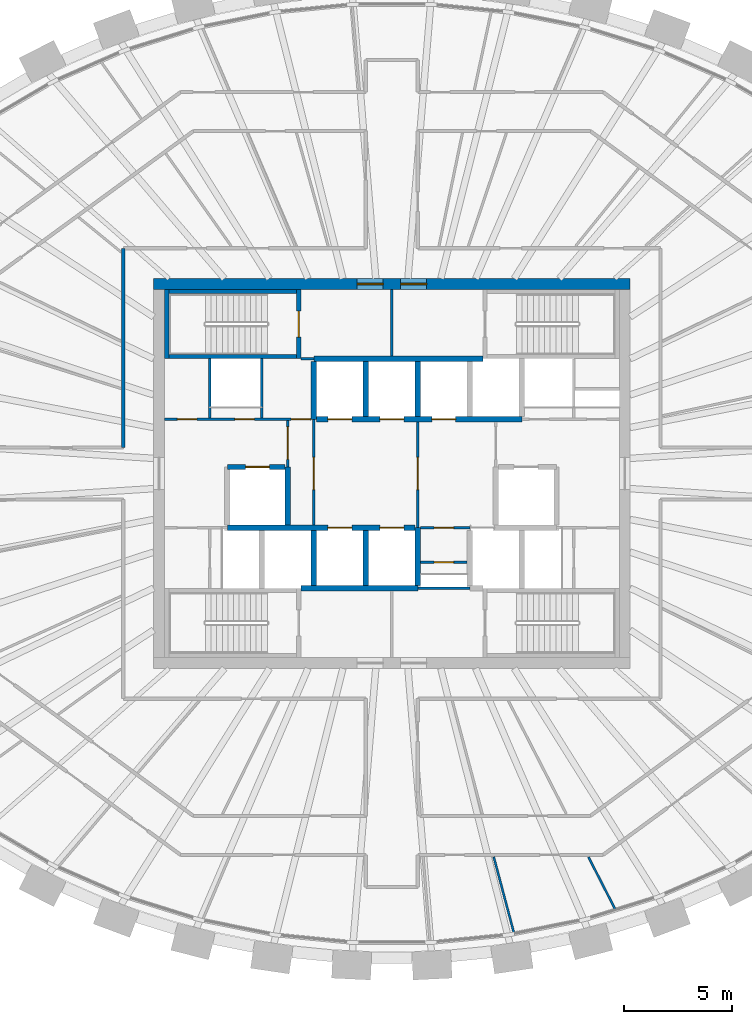
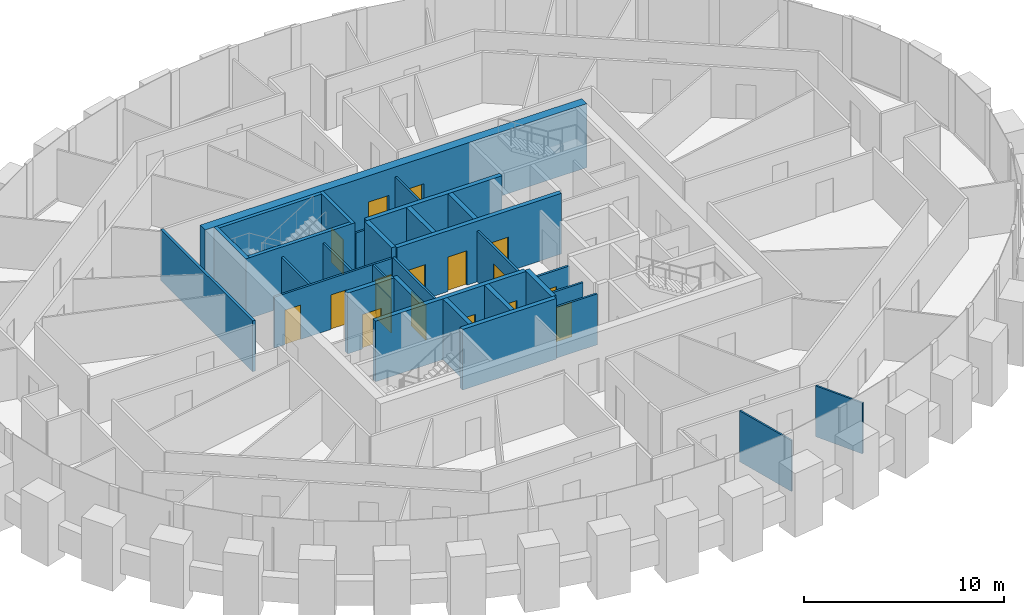
# One storey, part 7 of 11: 31 walls, 17 doors, 17 openings.
"""IFC4 building model written with IfcOpenShell, lengths in metres."""

from ifc_helpers import new_model, si_unit, direction, frame, frame_2d, origin, place, context, subcontext, project, spatial, rectangle, extrude, source, transform, mapped, material, layer, layer_set, type_object, element, fill, save


model = new_model("IFC4")

# Units and contexts
model_context = context("Model", 3, precision=1e-05, world=origin(), true_north=direction((0.0, 1.0)))
body_context = subcontext(model_context, "Body", "Model", "MODEL_VIEW")
ifc_project = project(units=[si_unit("LENGTHUNIT", "METRE"), si_unit("AREAUNIT", "SQUARE_METRE"), si_unit("VOLUMEUNIT", "CUBIC_METRE"), si_unit("PLANEANGLEUNIT", "RADIAN"), si_unit("MASSUNIT", "GRAM", prefix="KILO")], contexts=[model_context])

# Site, building, storey
site_placement = place(None, origin())
site = spatial("IfcSite", under=ifc_project, at=site_placement, CompositionType="ELEMENT")
building_placement = place(site_placement, origin())
building = spatial("IfcBuilding", under=site, at=building_placement, Name="Embergate Tower", CompositionType="ELEMENT")
storey_placement = place(building_placement, frame((0.0, 0.0, 324.699951171875)))
storey = spatial("IfcBuildingStorey", under=building, at=storey_placement, Name="L76", CompositionType="ELEMENT", Elevation=324.699951171875)

# Wall, openings, doors
ifc_material_1 = material(Name="Concrete C50", Category="concrete")
ifc_layer_1 = layer(ifc_material_1, 0.5)
ifc_layer_set_1 = layer_set([ifc_layer_1], Name="Concrete C50")
wall_type_1 = type_object("IfcWallType", Name="Core outer wall C50 500", PredefinedType="SHEAR", material=ifc_layer_set_1)
shared_shape_1 = source(origin(), body_context, "Body", "SweptSolid", [
    extrude(rectangle(XDim=22.0, YDim=0.5, at=frame_2d((11.0, 0.0))), origin(), (0.0, 0.0, 1.0), 3.89990234375),
])
wall_1_placement = place(storey_placement, frame((-11.0, 8.75, -0.199951171875), z_axis=(0.0, 0.0, 1.0), x_axis=(1.0, 0.0, 0.0)))
wall_1 = element("IfcWall", 1, at=wall_1_placement, inside=storey, type_object=wall_type_1, Name="CW-L76-N", PredefinedType="SHEAR", context=body_context, shape_type="MappedRepresentation", body=[
    mapped(shared_shape_1, transform((0.0, 0.0, 0.0))),
])
shared_shape_2 = source(origin(), body_context, "Body", "SweptSolid", [
    extrude(rectangle(XDim=1.199951171875, YDim=2.10009765625, at=frame_2d((0.60009765625, 1.050048828125))), frame((0.0, 0.260009765625, 0.0), z_axis=(0.0, -1.0, 0.0), x_axis=(1.0, 0.0, 0.0)), (0.0, 0.0, 1.0), 0.52001953125),
])
opening_1_placement = place(wall_1_placement, frame((9.39990234375, 0.0, 0.199951171875)))
opening_1 = element("IfcOpeningElement", 2, at=opening_1_placement, cuts=wall_1, Name="Opening IF-1", PredefinedType="OPENING", context=body_context, shape_type="MappedRepresentation", body=[
    mapped(shared_shape_2, transform((0.0, 0.0, 0.0))),
])
opening_2_placement = place(wall_1_placement, frame((11.39990234375, 0.0, 0.199951171875)))
opening_2 = element("IfcOpeningElement", 3, at=opening_2_placement, cuts=wall_1, Name="Opening IF-1", PredefinedType="OPENING", context=body_context, shape_type="MappedRepresentation", body=[
    mapped(shared_shape_2, transform((0.0, 0.0, 0.0))),
])
ifc_material_2 = material(Name="Escape fire door 1200")
door_type_1 = type_object("IfcDoorType", Name="Escape fire door 1200", OperationType="SINGLE_SWING_LEFT", PredefinedType="DOOR", material=ifc_material_2)
shared_shape_3 = source(origin(), body_context, "Body", "SweptSolid", [
    extrude(rectangle(XDim=1.199951171875, YDim=2.10009765625, at=frame_2d((0.60009765625, 1.050048828125))), frame((0.0, 0.02490234375, 0.0), z_axis=(0.0, -1.0, 0.0), x_axis=(1.0, 0.0, 0.0)), (0.0, 0.0, 1.0), 0.050048828125),
])
door_1_placement = place(opening_1_placement, origin())
door_1 = element("IfcDoor", 4, at=door_1_placement, inside=storey, type_object=door_type_1, Name="IF-1 door", OperationType="SINGLE_SWING_LEFT", OverallHeight=2.10009765625, OverallWidth=1.199951171875, PredefinedType="DOOR", context=body_context, shape_type="MappedRepresentation", body=[
    mapped(shared_shape_3, transform((0.0, 0.0, 0.0))),
])
fill(opening_1, door_1)
door_2_placement = place(opening_2_placement, origin())
door_2 = element("IfcDoor", 5, at=door_2_placement, inside=storey, type_object=door_type_1, Name="IF-1 door", OperationType="SINGLE_SWING_LEFT", OverallHeight=2.10009765625, OverallWidth=1.199951171875, PredefinedType="DOOR", context=body_context, shape_type="MappedRepresentation", body=[
    mapped(shared_shape_3, transform((0.0, 0.0, 0.0))),
])
fill(opening_2, door_2)

# Walls
ifc_layer_2 = layer(ifc_material_1, 0.25)
ifc_layer_set_2 = layer_set([ifc_layer_2], Name="Concrete C50")
wall_type_2 = type_object("IfcWallType", Name="Hoistway wall reinforced concrete 250", PredefinedType="SHEAR", material=ifc_layer_set_2)
shared_shape_4 = source(origin(), body_context, "Body", "SweptSolid", [
    extrude(rectangle(XDim=2.675048828125, YDim=0.25, at=frame_2d((1.33740234375, 0.0))), origin(), (0.0, 0.0, 1.0), 3.699951171875),
])
for number, where, z_axis, x_axis, name in (
    (6, (-3.60009765625, 5.175048828125, 0.0), (0.0, 0.0, 1.0), (0.0, -1.0, 0.0), "HW-1 wall"),
    (7, (1.199951171875, -5.175048828125, 0.0), (0.0, 0.0, 1.0), (0.0, 1.0, 0.0), "HW-1 wall"),
    (8, (-4.800048828125, 0.300048828125, 0.0), (0.0, 0.0, 1.0), (0.0, -1.0, 0.0), "HW-1 wall"),
):
    element("IfcWall", number, at=place(storey_placement, frame(where, z_axis=z_axis, x_axis=x_axis)), inside=storey, type_object=wall_type_2, Name=name, PredefinedType="SHEAR", context=body_context, shape_type="MappedRepresentation", body=[
        mapped(shared_shape_4, transform((0.0, 0.0, 0.0))),
    ])

# Wall, opening, door
wall_2_placement = place(storey_placement, frame((-4.925048828125, 0.300048828125, 0.0), z_axis=(0.0, 0.0, 1.0), x_axis=(-1.0, 0.0, 0.0)))
wall_2 = element("IfcWall", 9, at=wall_2_placement, inside=storey, type_object=wall_type_2, Name="HW-1 wall", PredefinedType="SHEAR", context=body_context, shape_type="MappedRepresentation", body=[
    mapped(shared_shape_4, transform((0.0, 0.0, 0.0))),
])
shared_shape_5 = source(origin(), body_context, "Body", "SweptSolid", [
    extrude(rectangle(XDim=1.10009765625, YDim=2.10009765625, at=frame_2d((0.550048828125, 1.050048828125))), frame((0.0, 0.135009765625, 0.0), z_axis=(0.0, -1.0, 0.0), x_axis=(1.0, 0.0, 0.0)), (0.0, 0.0, 1.0), 0.27001953125),
])
opening_3_placement = place(wall_2_placement, frame((0.72509765625, 0.0, 0.0)))
opening_3 = element("IfcOpeningElement", 10, at=opening_3_placement, cuts=wall_2, Name="Opening LD", PredefinedType="OPENING", context=body_context, shape_type="MappedRepresentation", body=[
    mapped(shared_shape_5, transform((0.0, 0.0, 0.0))),
])
ifc_material_3 = material(Name="Landing door sliding 1100")
door_type_2 = type_object("IfcDoorType", Name="Landing door sliding 1100", OperationType="SLIDING_TO_LEFT", PredefinedType="DOOR", material=ifc_material_3)
shared_shape_6 = source(origin(), body_context, "Body", "SweptSolid", [
    extrude(rectangle(XDim=1.10009765625, YDim=2.10009765625, at=frame_2d((0.550048828125, 1.050048828125))), frame((0.0, 0.02490234375, 0.0), z_axis=(0.0, -1.0, 0.0), x_axis=(1.0, 0.0, 0.0)), (0.0, 0.0, 1.0), 0.050048828125),
])
door_3_placement = place(opening_3_placement, origin())
door_3 = element("IfcDoor", 11, at=door_3_placement, inside=storey, type_object=door_type_2, Name="LD door", OperationType="SLIDING_TO_RIGHT", OverallHeight=2.10009765625, OverallWidth=1.10009765625, PredefinedType="DOOR", context=body_context, shape_type="MappedRepresentation", body=[
    mapped(shared_shape_6, transform((0.0, 0.0, 0.0))),
])
fill(opening_3, door_3)

# Walls
ifc_layer_3 = layer(ifc_material_1, 0.199951171875)
ifc_layer_set_3 = layer_set([ifc_layer_3], Name="Concrete C50")
wall_type_3 = type_object("IfcWallType", Name="Stair enclosure wall reinforced concrete 250", PredefinedType="SHEAR", material=ifc_layer_set_3)
shared_shape_7 = source(origin(), body_context, "Body", "SweptSolid", [
    extrude(rectangle(XDim=6.300048828125, YDim=0.199951171875, at=frame_2d((3.14990234375, 0.0))), origin(), (0.0, 0.0, 1.0), 3.699951171875),
])
wall_3_placement = place(storey_placement, frame((-4.199951171875, 5.39990234375, 0.0), z_axis=(0.0, 0.0, 1.0), x_axis=(-1.0, 0.0, 0.0)))
element("IfcWall", 12, at=wall_3_placement, inside=storey, type_object=wall_type_3, Name="SE-1 wall", PredefinedType="SHEAR", context=body_context, shape_type="MappedRepresentation", body=[
    mapped(shared_shape_7, transform((0.0, 0.0, 0.0))),
])
ifc_material_4 = material(Name="Core partition blockwork 120")
ifc_layer_4 = layer(ifc_material_4, 0.1201171875)
ifc_layer_set_4 = layer_set([ifc_layer_4], Name="Core partition blockwork 120")
wall_type_4 = type_object("IfcWallType", Name="Core partition blockwork 120", PredefinedType="PARTITIONING", material=ifc_layer_set_4)
shared_shape_8 = source(origin(), body_context, "Body", "SweptSolid", [
    extrude(rectangle(XDim=2.739990234375, YDim=0.1201171875, at=frame_2d((1.3701171875, 0.0))), origin(), (0.0, 0.0, 1.0), 3.10009765625),
])
for number, where, z_axis, x_axis, name in (
    (13, (-6.0, 2.56005859375, 0.0), (0.0, 0.0, 1.0), (0.0, 1.0, 0.0), "IP-3 wall"),
    (14, (-8.39990234375, 5.300048828125, 0.0), (0.0, 0.0, 1.0), (0.0, -1.0, 0.0), "IP-3 wall"),
):
    element("IfcWall", number, at=place(storey_placement, frame(where, z_axis=z_axis, x_axis=x_axis)), inside=storey, type_object=wall_type_4, Name=name, PredefinedType="PARTITIONING", context=body_context, shape_type="MappedRepresentation", body=[
        mapped(shared_shape_8, transform((0.0, 0.0, 0.0))),
    ])
shared_shape_9 = source(origin(), body_context, "Body", "SweptSolid", [
    extrude(rectangle(XDim=2.550048828125, YDim=0.25, at=frame_2d((1.27490234375, 0.0))), origin(), (0.0, 0.0, 1.0), 3.699951171875),
])
for number, where, z_axis, x_axis, name in (
    (15, (-1.199951171875, 2.625, 0.0), (0.0, 0.0, 1.0), (0.0, 1.0, 0.0), "HW-1 wall"),
    (16, (1.199951171875, 2.625, 0.0), (0.0, 0.0, 1.0), (0.0, 1.0, 0.0), "HW-1 wall"),
    (17, (-3.60009765625, -5.175048828125, 0.0), (0.0, 0.0, 1.0), (0.0, 1.0, 0.0), "HW-1 wall"),
    (18, (-1.199951171875, -5.175048828125, 0.0), (0.0, 0.0, 1.0), (0.0, 1.0, 0.0), "HW-1 wall"),
):
    element("IfcWall", number, at=place(storey_placement, frame(where, z_axis=z_axis, x_axis=x_axis)), inside=storey, type_object=wall_type_2, Name=name, PredefinedType="SHEAR", context=body_context, shape_type="MappedRepresentation", body=[
        mapped(shared_shape_9, transform((0.0, 0.0, 0.0))),
    ])

# Wall, opening, door
shared_shape_10 = source(origin(), body_context, "Body", "SweptSolid", [
    extrude(rectangle(XDim=3.199951171875, YDim=0.199951171875, at=frame_2d((1.60009765625, 0.0))), origin(), (0.0, 0.0, 1.0), 3.699951171875),
])
wall_4_placement = place(storey_placement, frame((-4.300048828125, 5.300048828125, 0.0), z_axis=(0.0, 0.0, 1.0), x_axis=(0.0, 1.0, 0.0)))
wall_4 = element("IfcWall", 19, at=wall_4_placement, inside=storey, type_object=wall_type_3, Name="SE-1 wall", PredefinedType="SHEAR", context=body_context, shape_type="MappedRepresentation", body=[
    mapped(shared_shape_10, transform((0.0, 0.0, 0.0))),
])
shared_shape_11 = source(origin(), body_context, "Body", "SweptSolid", [
    extrude(rectangle(XDim=1.199951171875, YDim=2.10009765625, at=frame_2d((0.60009765625, 1.050048828125))), frame((0.0, 0.10986328125, 0.0), z_axis=(0.0, -1.0, 0.0), x_axis=(1.0, 0.0, 0.0)), (0.0, 0.0, 1.0), 0.219970703125),
])
opening_4_placement = place(wall_4_placement, frame((1.0, 0.0, 0.0)))
opening_4 = element("IfcOpeningElement", 20, at=opening_4_placement, cuts=wall_4, Name="Opening IF-2", PredefinedType="OPENING", context=body_context, shape_type="MappedRepresentation", body=[
    mapped(shared_shape_11, transform((0.0, 0.0, 0.0))),
])
ifc_material_5 = material(Name="Stair enclosure door 1200")
door_type_3 = type_object("IfcDoorType", Name="Stair enclosure door 1200", OperationType="SINGLE_SWING_LEFT", PredefinedType="DOOR", material=ifc_material_5)
door_4_placement = place(opening_4_placement, origin())
door_4 = element("IfcDoor", 21, at=door_4_placement, inside=storey, type_object=door_type_3, Name="IF-2 door", OperationType="SINGLE_SWING_RIGHT", OverallHeight=2.10009765625, OverallWidth=1.199951171875, PredefinedType="DOOR", context=body_context, shape_type="MappedRepresentation", body=[
    mapped(shared_shape_3, transform((0.0, 0.0, 0.0))),
])
fill(opening_4, door_4)

# Wall, openings, doors
shared_shape_12 = source(origin(), body_context, "Body", "SweptSolid", [
    extrude(rectangle(XDim=9.47509765625, YDim=0.25, at=frame_2d((4.737548828125, 0.0))), origin(), (0.0, 0.0, 1.0), 3.699951171875),
])
wall_5_placement = place(storey_placement, frame((-3.47509765625, 2.5, 0.0), z_axis=(0.0, 0.0, 1.0), x_axis=(1.0, 0.0, 0.0)))
wall_5 = element("IfcWall", 22, at=wall_5_placement, inside=storey, type_object=wall_type_2, Name="HW-1 wall", PredefinedType="SHEAR", context=body_context, shape_type="MappedRepresentation", body=[
    mapped(shared_shape_12, transform((0.0, 0.0, 0.0))),
])
opening_5_placement = place(wall_5_placement, frame((0.52490234375, 0.0, 0.0)))
opening_5 = element("IfcOpeningElement", 23, at=opening_5_placement, cuts=wall_5, Name="Opening LD", PredefinedType="OPENING", context=body_context, shape_type="MappedRepresentation", body=[
    mapped(shared_shape_5, transform((0.0, 0.0, 0.0))),
])
opening_6_placement = place(wall_5_placement, frame((2.925048828125, 0.0, 0.0)))
opening_6 = element("IfcOpeningElement", 24, at=opening_6_placement, cuts=wall_5, Name="Opening LD", PredefinedType="OPENING", context=body_context, shape_type="MappedRepresentation", body=[
    mapped(shared_shape_5, transform((0.0, 0.0, 0.0))),
])
opening_7_placement = place(wall_5_placement, frame((5.324951171875, 0.0, 0.0)))
opening_7 = element("IfcOpeningElement", 25, at=opening_7_placement, cuts=wall_5, Name="Opening LD", PredefinedType="OPENING", context=body_context, shape_type="MappedRepresentation", body=[
    mapped(shared_shape_5, transform((0.0, 0.0, 0.0))),
])
door_5_placement = place(opening_5_placement, origin())
door_5 = element("IfcDoor", 26, at=door_5_placement, inside=storey, type_object=door_type_2, Name="LD door", OperationType="SLIDING_TO_RIGHT", OverallHeight=2.10009765625, OverallWidth=1.10009765625, PredefinedType="DOOR", context=body_context, shape_type="MappedRepresentation", body=[
    mapped(shared_shape_6, transform((0.0, 0.0, 0.0))),
])
fill(opening_5, door_5)
door_6_placement = place(opening_6_placement, origin())
door_6 = element("IfcDoor", 27, at=door_6_placement, inside=storey, type_object=door_type_2, Name="LD door", OperationType="SLIDING_TO_RIGHT", OverallHeight=2.10009765625, OverallWidth=1.10009765625, PredefinedType="DOOR", context=body_context, shape_type="MappedRepresentation", body=[
    mapped(shared_shape_6, transform((0.0, 0.0, 0.0))),
])
fill(opening_6, door_6)
door_7_placement = place(opening_7_placement, origin())
door_7 = element("IfcDoor", 28, at=door_7_placement, inside=storey, type_object=door_type_2, Name="LD door", OperationType="SLIDING_TO_RIGHT", OverallHeight=2.10009765625, OverallWidth=1.10009765625, PredefinedType="DOOR", context=body_context, shape_type="MappedRepresentation", body=[
    mapped(shared_shape_6, transform((0.0, 0.0, 0.0))),
])
fill(opening_7, door_7)

# Walls
shared_shape_13 = source(origin(), body_context, "Body", "SweptSolid", [
    extrude(rectangle(XDim=7.800048828125, YDim=0.25, at=frame_2d((3.89990234375, 0.0))), origin(), (0.0, 0.0, 1.0), 3.699951171875),
])
wall_6_placement = place(storey_placement, frame((4.199951171875, 5.300048828125, 0.0), z_axis=(0.0, 0.0, 1.0), x_axis=(-1.0, 0.0, 0.0)))
element("IfcWall", 29, at=wall_6_placement, inside=storey, type_object=wall_type_2, Name="HW-1 wall", PredefinedType="SHEAR", context=body_context, shape_type="MappedRepresentation", body=[
    mapped(shared_shape_13, transform((0.0, 0.0, 0.0))),
])
shared_shape_14 = source(origin(), body_context, "Body", "SweptSolid", [
    extrude(rectangle(XDim=5.39990234375, YDim=0.25, at=frame_2d((2.699951171875, 0.0))), origin(), (0.0, 0.0, 1.0), 3.699951171875),
])
wall_7_placement = place(storey_placement, frame((-4.199951171875, -5.300048828125, 0.0), z_axis=(0.0, 0.0, 1.0), x_axis=(1.0, 0.0, 0.0)))
element("IfcWall", 30, at=wall_7_placement, inside=storey, type_object=wall_type_2, Name="HW-1 wall", PredefinedType="SHEAR", context=body_context, shape_type="MappedRepresentation", body=[
    mapped(shared_shape_14, transform((0.0, 0.0, 0.0))),
])
shared_shape_15 = source(origin(), body_context, "Body", "SweptSolid", [
    extrude(rectangle(XDim=6.298095703125, YDim=0.199951171875, at=frame_2d((3.14892578125, 0.0))), origin(), (0.0, 0.0, 1.0), 3.699951171875),
])
wall_8_placement = place(storey_placement, frame((-4.201904296875, 8.39990234375, 0.0), z_axis=(0.0, 0.0, 1.0), x_axis=(-1.0, 0.0, 0.0)))
element("IfcWall", 31, at=wall_8_placement, inside=storey, type_object=wall_type_3, Name="SE-1 wall", PredefinedType="SHEAR", context=body_context, shape_type="MappedRepresentation", body=[
    mapped(shared_shape_15, transform((0.0, 0.0, 0.0))),
])
shared_shape_16 = source(origin(), body_context, "Body", "SweptSolid", [
    extrude(rectangle(XDim=3.197998046875, YDim=0.199951171875, at=frame_2d((1.59912109375, 0.0))), origin(), (0.0, 0.0, 1.0), 3.699951171875),
])
wall_9_placement = place(storey_placement, frame((-10.39990234375, 8.5, 0.0), z_axis=(0.0, 0.0, 1.0), x_axis=(0.0, -1.0, 0.0)))
element("IfcWall", 32, at=wall_9_placement, inside=storey, type_object=wall_type_3, Name="SE-1 wall", PredefinedType="SHEAR", context=body_context, shape_type="MappedRepresentation", body=[
    mapped(shared_shape_16, transform((0.0, 0.0, 0.0))),
])
ifc_material_6 = material(Name="Corridor wall dry-lined 150")
ifc_layer_5 = layer(ifc_material_6, 0.14990234375)
ifc_layer_set_5 = layer_set([ifc_layer_5], Name="Corridor wall dry-lined 150")
wall_type_5 = type_object("IfcWallType", Name="Corridor wall dry-lined 150", PredefinedType="PARTITIONING", material=ifc_layer_set_5)
shared_shape_17 = source(origin(), body_context, "Body", "SweptSolid", [
    extrude(rectangle(XDim=9.199951171875, YDim=0.14990234375, at=frame_2d((4.60009765625, 0.0))), origin(), (0.0, 0.0, 1.0), 3.10009765625),
])
wall_10_placement = place(storey_placement, frame((-12.39990234375, 10.39990234375, 0.0), z_axis=(0.0, 0.0, 1.0), x_axis=(0.0, -1.0, 0.0)))
element("IfcWall", 33, at=wall_10_placement, inside=storey, type_object=wall_type_5, Name="IP-2 wall", PredefinedType="PARTITIONING", context=body_context, shape_type="MappedRepresentation", body=[
    mapped(shared_shape_17, transform((0.0, 0.0, 0.0))),
])

# Wall, openings, doors
shared_shape_18 = source(origin(), body_context, "Body", "SweptSolid", [
    extrude(rectangle(XDim=6.77490234375, YDim=0.1201171875, at=frame_2d((3.387451171875, 0.0))), origin(), (0.0, 0.0, 1.0), 3.10009765625),
])
wall_11_placement = place(storey_placement, frame((-10.5, 2.5, 0.0), z_axis=(0.0, 0.0, 1.0), x_axis=(1.0, 0.0, 0.0)))
wall_11 = element("IfcWall", 34, at=wall_11_placement, inside=storey, type_object=wall_type_4, Name="IP-3 wall", PredefinedType="PARTITIONING", context=body_context, shape_type="MappedRepresentation", body=[
    mapped(shared_shape_18, transform((0.0, 0.0, 0.0))),
])
shared_shape_19 = source(origin(), body_context, "Body", "SweptSolid", [
    extrude(rectangle(XDim=0.89990234375, YDim=2.10009765625, at=frame_2d((0.449951171875, 1.050048828125))), frame((0.0, 0.070068359375, 0.0), z_axis=(0.0, -1.0, 0.0), x_axis=(1.0, 0.0, 0.0)), (0.0, 0.0, 1.0), 0.14013671875),
])
opening_8_placement = place(wall_11_placement, frame((3.25, 0.0, 0.0)))
opening_8 = element("IfcOpeningElement", 35, at=opening_8_placement, cuts=wall_11, Name="Opening ID-1", PredefinedType="OPENING", context=body_context, shape_type="MappedRepresentation", body=[
    mapped(shared_shape_19, transform((0.0, 0.0, 0.0))),
])
opening_9_placement = place(wall_11_placement, frame((5.85009765625, 0.0, 0.0)))
opening_9 = element("IfcOpeningElement", 36, at=opening_9_placement, cuts=wall_11, Name="Opening ID-1", PredefinedType="OPENING", context=body_context, shape_type="MappedRepresentation", body=[
    mapped(shared_shape_19, transform((0.0, 0.0, 0.0))),
])
opening_10_placement = place(wall_11_placement, frame((0.60009765625, 0.0, 0.0)))
opening_10 = element("IfcOpeningElement", 37, at=opening_10_placement, cuts=wall_11, Name="Opening ID-1", PredefinedType="OPENING", context=body_context, shape_type="MappedRepresentation", body=[
    mapped(shared_shape_19, transform((0.0, 0.0, 0.0))),
])
ifc_material_7 = material(Name="Interior door 900")
door_type_4 = type_object("IfcDoorType", Name="Interior door 900", OperationType="SINGLE_SWING_LEFT", PredefinedType="DOOR", material=ifc_material_7)
shared_shape_20 = source(origin(), body_context, "Body", "SweptSolid", [
    extrude(rectangle(XDim=0.89990234375, YDim=2.10009765625, at=frame_2d((0.449951171875, 1.050048828125))), frame((0.0, 0.02490234375, 0.0), z_axis=(0.0, -1.0, 0.0), x_axis=(1.0, 0.0, 0.0)), (0.0, 0.0, 1.0), 0.050048828125),
])
door_8_placement = place(opening_8_placement, origin())
door_8 = element("IfcDoor", 38, at=door_8_placement, inside=storey, type_object=door_type_4, Name="ID-1 door", OperationType="SINGLE_SWING_LEFT", OverallHeight=2.10009765625, OverallWidth=0.89990234375, PredefinedType="DOOR", context=body_context, shape_type="MappedRepresentation", body=[
    mapped(shared_shape_20, transform((0.0, 0.0, 0.0))),
])
fill(opening_8, door_8)
door_9_placement = place(opening_9_placement, origin())
door_9 = element("IfcDoor", 39, at=door_9_placement, inside=storey, type_object=door_type_4, Name="ID-1 door", OperationType="SINGLE_SWING_RIGHT", OverallHeight=2.10009765625, OverallWidth=0.89990234375, PredefinedType="DOOR", context=body_context, shape_type="MappedRepresentation", body=[
    mapped(shared_shape_20, transform((0.0, 0.0, 0.0))),
])
fill(opening_9, door_9)
door_10_placement = place(opening_10_placement, origin())
door_10 = element("IfcDoor", 40, at=door_10_placement, inside=storey, type_object=door_type_4, Name="ID-1 door", OperationType="SINGLE_SWING_LEFT", OverallHeight=2.10009765625, OverallWidth=0.89990234375, PredefinedType="DOOR", context=body_context, shape_type="MappedRepresentation", body=[
    mapped(shared_shape_20, transform((0.0, 0.0, 0.0))),
])
fill(opening_10, door_10)

# Wall, opening, door
shared_shape_21 = source(origin(), body_context, "Body", "SweptSolid", [
    extrude(rectangle(XDim=4.875, YDim=0.1201171875, at=frame_2d((2.4375, 0.0))), origin(), (0.0, 0.0, 1.0), 3.10009765625),
])
wall_12_placement = place(storey_placement, frame((-3.60009765625, -2.375, 0.0), z_axis=(0.0, 0.0, 1.0), x_axis=(0.0, 1.0, 0.0)))
wall_12 = element("IfcWall", 41, at=wall_12_placement, inside=storey, type_object=wall_type_4, Name="IP-3 wall", PredefinedType="PARTITIONING", context=body_context, shape_type="MappedRepresentation", body=[
    mapped(shared_shape_21, transform((0.0, 0.0, 0.0))),
])
shared_shape_22 = source(origin(), body_context, "Body", "SweptSolid", [
    extrude(rectangle(XDim=1.5, YDim=2.10009765625, at=frame_2d((0.75, 1.050048828125))), frame((0.0, 0.070068359375, 0.0), z_axis=(0.0, -1.0, 0.0), x_axis=(1.0, 0.0, 0.0)), (0.0, 0.0, 1.0), 0.14013671875),
])
opening_11_placement = place(wall_12_placement, frame((1.625, 0.0, 0.0)))
opening_11 = element("IfcOpeningElement", 42, at=opening_11_placement, cuts=wall_12, Name="Opening IF-3", PredefinedType="OPENING", context=body_context, shape_type="MappedRepresentation", body=[
    mapped(shared_shape_22, transform((0.0, 0.0, 0.0))),
])
ifc_material_8 = material(Name="Lobby fire door pair 1500")
door_type_5 = type_object("IfcDoorType", Name="Lobby fire door pair 1500", OperationType="DOUBLE_DOOR_SINGLE_SWING", PredefinedType="DOOR", material=ifc_material_8)
shared_shape_23 = source(origin(), body_context, "Body", "SweptSolid", [
    extrude(rectangle(XDim=1.5, YDim=2.10009765625, at=frame_2d((0.75, 1.050048828125))), frame((0.0, 0.02490234375, 0.0), z_axis=(0.0, -1.0, 0.0), x_axis=(1.0, 0.0, 0.0)), (0.0, 0.0, 1.0), 0.050048828125),
])
door_11_placement = place(opening_11_placement, origin())
door_11 = element("IfcDoor", 43, at=door_11_placement, inside=storey, type_object=door_type_5, Name="IF-3 door", OperationType="DOUBLE_DOOR_SINGLE_SWING", OverallHeight=2.10009765625, OverallWidth=1.5, PredefinedType="DOOR", context=body_context, shape_type="MappedRepresentation", body=[
    mapped(shared_shape_23, transform((0.0, 0.0, 0.0))),
])
fill(opening_11, door_11)

wall_13_placement = place(storey_placement, frame((1.199951171875, -2.5, 0.0), z_axis=(0.0, 0.0, 1.0), x_axis=(0.0, 1.0, 0.0)))
wall_13 = element("IfcWall", 44, at=wall_13_placement, inside=storey, type_object=wall_type_4, Name="IP-3 wall", PredefinedType="PARTITIONING", context=body_context, shape_type="MappedRepresentation", body=[
    mapped(shared_shape_21, transform((0.0, 0.0, 0.0))),
])
opening_12_placement = place(wall_13_placement, frame((1.75, 0.0, 0.0)))
opening_12 = element("IfcOpeningElement", 45, at=opening_12_placement, cuts=wall_13, Name="Opening IF-3", PredefinedType="OPENING", context=body_context, shape_type="MappedRepresentation", body=[
    mapped(shared_shape_22, transform((0.0, 0.0, 0.0))),
])
door_12_placement = place(opening_12_placement, origin())
door_12 = element("IfcDoor", 46, at=door_12_placement, inside=storey, type_object=door_type_5, Name="IF-3 door", OperationType="DOUBLE_DOOR_SINGLE_SWING", OverallHeight=2.10009765625, OverallWidth=1.5, PredefinedType="DOOR", context=body_context, shape_type="MappedRepresentation", body=[
    mapped(shared_shape_23, transform((0.0, 0.0, 0.0))),
])
fill(opening_12, door_12)

shared_shape_24 = source(origin(), body_context, "Body", "SweptSolid", [
    extrude(rectangle(XDim=2.139892578125, YDim=0.1201171875, at=frame_2d((1.06982421875, 0.0))), origin(), (0.0, 0.0, 1.0), 3.10009765625),
])
wall_14_placement = place(storey_placement, frame((-4.800048828125, 2.43994140625, 0.0), z_axis=(0.0, 0.0, 1.0), x_axis=(0.0, -1.0, 0.0)))
wall_14 = element("IfcWall", 47, at=wall_14_placement, inside=storey, type_object=wall_type_4, Name="IP-3 wall", PredefinedType="PARTITIONING", context=body_context, shape_type="MappedRepresentation", body=[
    mapped(shared_shape_24, transform((0.0, 0.0, 0.0))),
])
opening_13_placement = place(wall_14_placement, frame((0.2900390625, 0.0, 0.0)))
opening_13 = element("IfcOpeningElement", 48, at=opening_13_placement, cuts=wall_14, Name="Opening IF-3", PredefinedType="OPENING", context=body_context, shape_type="MappedRepresentation", body=[
    mapped(shared_shape_22, transform((0.0, 0.0, 0.0))),
])
door_13_placement = place(opening_13_placement, origin())
door_13 = element("IfcDoor", 49, at=door_13_placement, inside=storey, type_object=door_type_5, Name="IF-3 door", OperationType="DOUBLE_DOOR_SINGLE_SWING", OverallHeight=2.10009765625, OverallWidth=1.5, PredefinedType="DOOR", context=body_context, shape_type="MappedRepresentation", body=[
    mapped(shared_shape_23, transform((0.0, 0.0, 0.0))),
])
fill(opening_13, door_13)

# Walls
shared_shape_25 = source(origin(), body_context, "Body", "SweptSolid", [
    extrude(rectangle(XDim=2.400146484375, YDim=0.1201171875, at=frame_2d((1.2001953125, 0.0))), origin(), (0.0, 0.0, 1.0), 3.10009765625),
])
wall_15_placement = place(storey_placement, frame((3.60009765625, -5.300048828125, 0.0), z_axis=(0.0, 0.0, 1.0), x_axis=(-1.0, 0.0, 0.0)))
element("IfcWall", 50, at=wall_15_placement, inside=storey, type_object=wall_type_4, Name="IP-3 wall", PredefinedType="PARTITIONING", context=body_context, shape_type="MappedRepresentation", body=[
    mapped(shared_shape_25, transform((0.0, 0.0, 0.0))),
])
shared_shape_26 = source(origin(), body_context, "Body", "SweptSolid", [
    extrude(rectangle(XDim=3.074951171875, YDim=0.1201171875, at=frame_2d((1.53759765625, 0.0))), origin(), (0.0, 0.0, 1.0), 3.10009765625),
])
wall_16_placement = place(storey_placement, frame((0.0, 5.425048828125, 0.0), z_axis=(0.0, 0.0, 1.0), x_axis=(0.0, 1.0, 0.0)))
element("IfcWall", 51, at=wall_16_placement, inside=storey, type_object=wall_type_4, Name="IP-3 wall", PredefinedType="PARTITIONING", context=body_context, shape_type="MappedRepresentation", body=[
    mapped(shared_shape_26, transform((0.0, 0.0, 0.0))),
])
shared_shape_27 = source(origin(), body_context, "Body", "SweptSolid", [
    extrude(rectangle(XDim=0.599853515625, YDim=0.1201171875, at=frame_2d((0.2998046875, 0.0))), origin(), (0.0, 0.0, 1.0), 3.10009765625),
])
wall_17_placement = place(storey_placement, frame((-4.199951171875, 5.300048828125, 0.0), z_axis=(0.0, 0.0, 1.0), x_axis=(1.0, 0.0, 0.0)))
element("IfcWall", 52, at=wall_17_placement, inside=storey, type_object=wall_type_4, Name="IP-3 wall", PredefinedType="PARTITIONING", context=body_context, shape_type="MappedRepresentation", body=[
    mapped(shared_shape_27, transform((0.0, 0.0, 0.0))),
])

# Wall, opening, door
shared_shape_28 = source(origin(), body_context, "Body", "SweptSolid", [
    extrude(rectangle(XDim=2.150146484375, YDim=0.1201171875, at=frame_2d((1.0751953125, 0.0))), origin(), (0.0, 0.0, 1.0), 3.10009765625),
])
wall_18_placement = place(storey_placement, frame((3.47509765625, -4.095947265625, 0.0), z_axis=(0.0, 0.0, 1.0), x_axis=(-1.0, 0.0, 0.0)))
wall_18 = element("IfcWall", 53, at=wall_18_placement, inside=storey, type_object=wall_type_4, Name="IP-3 wall", PredefinedType="PARTITIONING", context=body_context, shape_type="MappedRepresentation", body=[
    mapped(shared_shape_28, transform((0.0, 0.0, 0.0))),
])
opening_14_placement = place(wall_18_placement, frame((0.625, 0.0, 0.0)))
opening_14 = element("IfcOpeningElement", 54, at=opening_14_placement, cuts=wall_18, Name="Opening ID-1", PredefinedType="OPENING", context=body_context, shape_type="MappedRepresentation", body=[
    mapped(shared_shape_19, transform((0.0, 0.0, 0.0))),
])
door_14_placement = place(opening_14_placement, origin())
door_14 = element("IfcDoor", 55, at=door_14_placement, inside=storey, type_object=door_type_4, Name="ID-1 door", OperationType="SINGLE_SWING_RIGHT", OverallHeight=2.10009765625, OverallWidth=0.89990234375, PredefinedType="DOOR", context=body_context, shape_type="MappedRepresentation", body=[
    mapped(shared_shape_20, transform((0.0, 0.0, 0.0))),
])
fill(opening_14, door_14)

# Wall, openings, doors
shared_shape_29 = source(origin(), body_context, "Body", "SweptSolid", [
    extrude(rectangle(XDim=8.675048828125, YDim=0.25, at=frame_2d((4.33740234375, 0.0))), origin(), (0.0, 0.0, 1.0), 3.699951171875),
])
wall_19_placement = place(storey_placement, frame((1.074951171875, -2.5, 0.0), z_axis=(0.0, 0.0, 1.0), x_axis=(-1.0, 0.0, 0.0)))
wall_19 = element("IfcWall", 56, at=wall_19_placement, inside=storey, type_object=wall_type_2, Name="HW-1 wall", PredefinedType="SHEAR", context=body_context, shape_type="MappedRepresentation", body=[
    mapped(shared_shape_29, transform((0.0, 0.0, 0.0))),
])
opening_15_placement = place(wall_19_placement, frame((2.925048828125, 0.0, 0.0)))
opening_15 = element("IfcOpeningElement", 57, at=opening_15_placement, cuts=wall_19, Name="Opening LD", PredefinedType="OPENING", context=body_context, shape_type="MappedRepresentation", body=[
    mapped(shared_shape_5, transform((0.0, 0.0, 0.0))),
])
opening_16_placement = place(wall_19_placement, frame((0.52490234375, 0.0, 0.0)))
opening_16 = element("IfcOpeningElement", 58, at=opening_16_placement, cuts=wall_19, Name="Opening LD", PredefinedType="OPENING", context=body_context, shape_type="MappedRepresentation", body=[
    mapped(shared_shape_5, transform((0.0, 0.0, 0.0))),
])
door_15_placement = place(opening_15_placement, origin())
door_15 = element("IfcDoor", 59, at=door_15_placement, inside=storey, type_object=door_type_2, Name="LD door", OperationType="SLIDING_TO_LEFT", OverallHeight=2.10009765625, OverallWidth=1.10009765625, PredefinedType="DOOR", context=body_context, shape_type="MappedRepresentation", body=[
    mapped(shared_shape_6, transform((0.0, 0.0, 0.0))),
])
fill(opening_15, door_15)
door_16_placement = place(opening_16_placement, origin())
door_16 = element("IfcDoor", 60, at=door_16_placement, inside=storey, type_object=door_type_2, Name="LD door", OperationType="SLIDING_TO_LEFT", OverallHeight=2.10009765625, OverallWidth=1.10009765625, PredefinedType="DOOR", context=body_context, shape_type="MappedRepresentation", body=[
    mapped(shared_shape_6, transform((0.0, 0.0, 0.0))),
])
fill(opening_16, door_16)

# Wall, opening, door
shared_shape_30 = source(origin(), body_context, "Body", "SweptSolid", [
    extrude(rectangle(XDim=2.275146484375, YDim=0.1201171875, at=frame_2d((1.1376953125, 0.0))), origin(), (0.0, 0.0, 1.0), 3.10009765625),
])
wall_20_placement = place(storey_placement, frame((1.324951171875, -2.5, 0.0), z_axis=(0.0, 0.0, 1.0), x_axis=(1.0, 0.0, 0.0)))
wall_20 = element("IfcWall", 61, at=wall_20_placement, inside=storey, type_object=wall_type_4, Name="IP-3 wall", PredefinedType="PARTITIONING", context=body_context, shape_type="MappedRepresentation", body=[
    mapped(shared_shape_30, transform((0.0, 0.0, 0.0))),
])
opening_17_placement = place(wall_20_placement, frame((0.625, 0.0, 0.0)))
opening_17 = element("IfcOpeningElement", 62, at=opening_17_placement, cuts=wall_20, Name="Opening ID-1", PredefinedType="OPENING", context=body_context, shape_type="MappedRepresentation", body=[
    mapped(shared_shape_19, transform((0.0, 0.0, 0.0))),
])
door_17_placement = place(opening_17_placement, origin())
door_17 = element("IfcDoor", 63, at=door_17_placement, inside=storey, type_object=door_type_4, Name="ID-1 door", OperationType="SINGLE_SWING_LEFT", OverallHeight=2.10009765625, OverallWidth=0.89990234375, PredefinedType="DOOR", context=body_context, shape_type="MappedRepresentation", body=[
    mapped(shared_shape_20, transform((0.0, 0.0, 0.0))),
])
fill(opening_17, door_17)

# Walls
ifc_material_9 = material(Name="Partition dry-lined 100")
ifc_layer_6 = layer(ifc_material_9, 0.10009765625)
ifc_layer_set_6 = layer_set([ifc_layer_6], Name="Partition dry-lined 100")
wall_type_6 = type_object("IfcWallType", Name="Partition dry-lined 100", PredefinedType="PARTITIONING", material=ifc_layer_set_6)
shared_shape_31 = source(origin(), body_context, "Body", "SweptSolid", [
    extrude(rectangle(XDim=3.673095703125, YDim=0.10009765625, at=frame_2d((1.83642578125, 0.0))), origin(), (0.0, 0.0, 1.0), 3.10009765625),
])
wall_21_placement = place(storey_placement, frame((4.702880859375, -17.698974609375, 0.0), z_axis=(0.0, 0.0, 1.0), x_axis=(0.256756564456, -0.966476107624, 0.0)))
element("IfcWall", 64, at=wall_21_placement, inside=storey, type_object=wall_type_6, Name="IP-1 wall", PredefinedType="PARTITIONING", context=body_context, shape_type="MappedRepresentation", body=[
    mapped(shared_shape_31, transform((0.0, 0.0, 0.0))),
])
shared_shape_32 = source(origin(), body_context, "Body", "SweptSolid", [
    extrude(rectangle(XDim=2.7802734375, YDim=0.10009765625, at=frame_2d((1.39013671875, 0.0))), origin(), (0.0, 0.0, 1.0), 3.10009765625),
])
wall_22_placement = place(storey_placement, frame((9.076904296875, -17.708984375, 0.0), z_axis=(0.0, 0.0, 1.0), x_axis=(0.456113393921, -0.889921666152, 0.0)))
element("IfcWall", 65, at=wall_22_placement, inside=storey, type_object=wall_type_6, Name="IP-1 wall", PredefinedType="PARTITIONING", context=body_context, shape_type="MappedRepresentation", body=[
    mapped(shared_shape_32, transform((0.0, 0.0, 0.0))),
])

save(model, "model.ifc")
